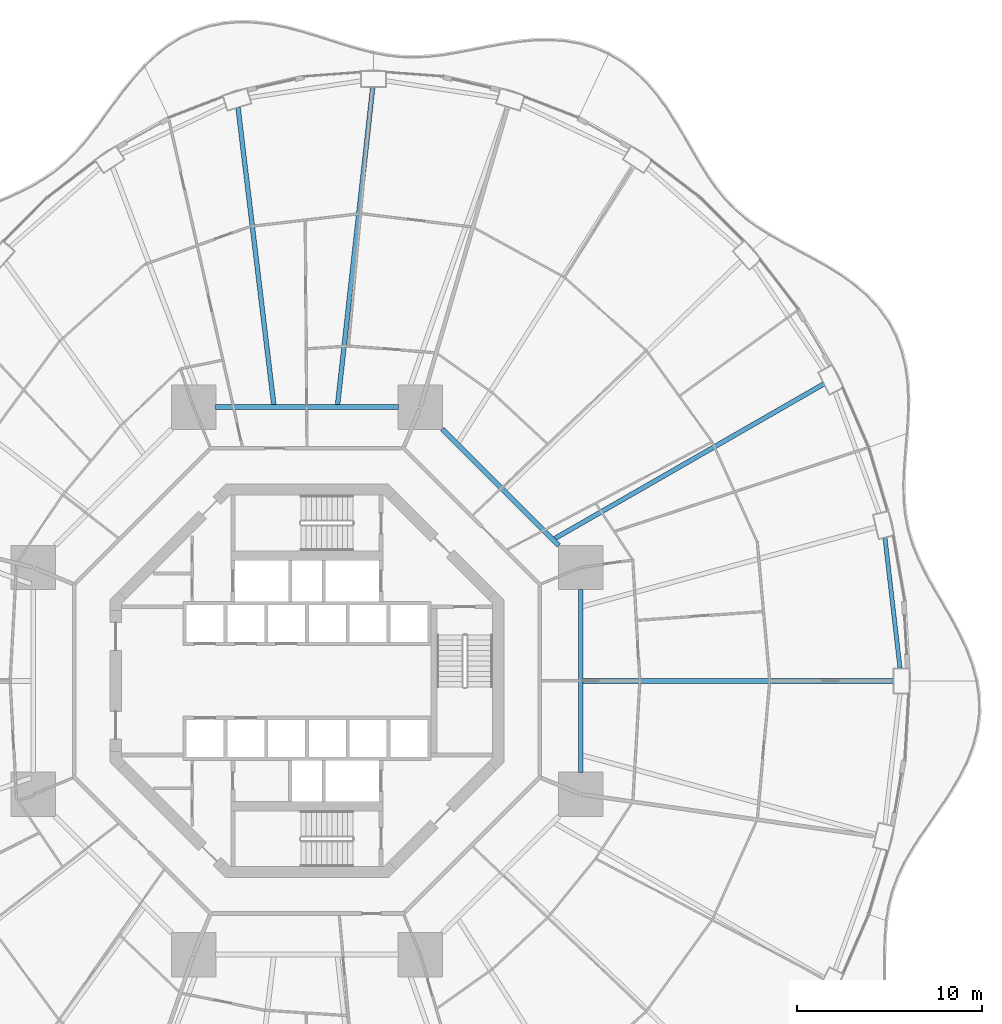
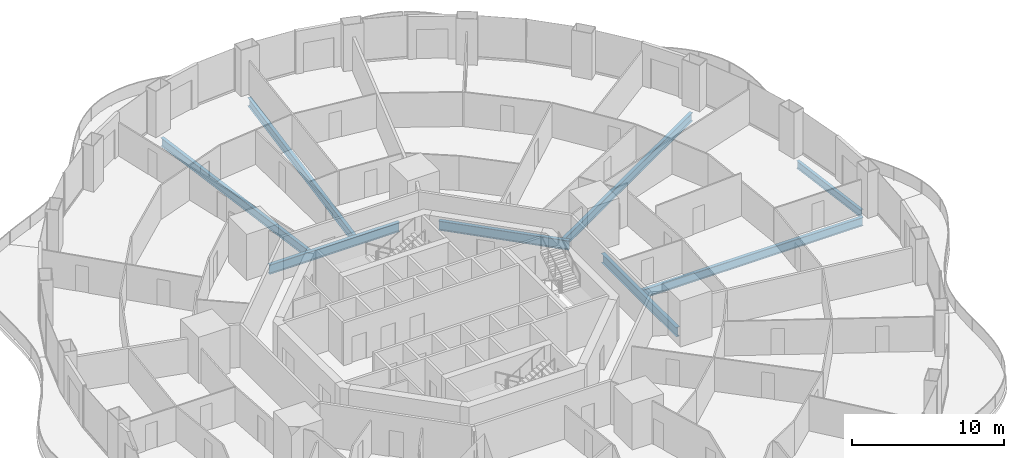
# One storey, part 8 of 22: 8 beams.
"""IFC4 building model written with IfcOpenShell, lengths in metres."""

from ifc_helpers import new_model, si_unit, direction, frame, origin, origin_2d, place, context, subcontext, project, spatial, i_section, extrude, material, material_profile, profile_set, type_object, element, save


model = new_model("IFC4")

# Units and contexts
model_context = context("Model", 3, precision=1e-05, world=origin(), true_north=direction((0.0, 1.0)))
body_context = subcontext(model_context, "Body", "Model", "MODEL_VIEW")
ifc_project = project(units=[si_unit("LENGTHUNIT", "METRE"), si_unit("AREAUNIT", "SQUARE_METRE"), si_unit("VOLUMEUNIT", "CUBIC_METRE"), si_unit("PLANEANGLEUNIT", "RADIAN"), si_unit("MASSUNIT", "GRAM", prefix="KILO")], contexts=[model_context])

# Site, building, storey
site_placement = place(None, origin())
site = spatial("IfcSite", under=ifc_project, at=site_placement, CompositionType="ELEMENT")
building_placement = place(site_placement, origin())
building = spatial("IfcBuilding", under=site, at=building_placement, Name="Nagisa Residences", CompositionType="ELEMENT")
storey_placement = place(building_placement, frame((0.0, 0.0, 34.39990234375)))
storey = spatial("IfcBuildingStorey", under=building, at=storey_placement, Name="L07", CompositionType="ELEMENT", Elevation=34.39990234375)

# Beams
ifc_material_1 = material(Name="Steel ASTM A572 Gr 50", Category="steel")
ifc_material_profile_1 = material_profile(ifc_material_1, i_section(OverallWidth=0.264892578125, OverallDepth=0.7529296875, WebThickness=0.01318359375, FlangeThickness=0.01708984375, at=origin_2d()), Name="W760x147")
ifc_profile_set_1 = profile_set([ifc_material_profile_1], Name="Steel ASTM A572 Gr 50")
beam_type_1 = type_object("IfcBeamType", Name="Inner ring beam W760x147", PredefinedType="BEAM", material=ifc_profile_set_1)
beam_1_placement = place(storey_placement, frame((13.59619140625, 7.308837890625, -0.636474609375), z_axis=(-0.707106781187, 0.707106781187, 0.0), x_axis=(-0.707106781187, -0.707106781187, 0.0)))
element("IfcBeam", 1, at=beam_1_placement, inside=storey, type_object=beam_type_1, Name="beam:L07:ib1", PredefinedType="BEAM", context=body_context, shape_type="SweptSolid", body=[
    extrude(i_section(OverallWidth=0.264892578125, OverallDepth=0.7529296875, WebThickness=0.01318359375, FlangeThickness=0.01708984375, at=origin_2d()), origin(), (0.0, 0.0, 1.0), 8.8916015625),
])
for number, where, z_axis, x_axis, name in (
    (2, (4.94287109375, 14.781982421875, -0.636474609375), (-1.0, 0.0, 0.0), (0.0, -1.0, 0.0), "beam:L07:ib2"),
    (3, (14.781982421875, -4.94287109375, -0.636474609375), (0.0, 1.0, 0.0), (-1.0, 0.0, 0.0), "beam:L07:ib8"),
):
    element("IfcBeam", number, at=place(storey_placement, frame(where, z_axis=z_axis, x_axis=x_axis)), inside=storey, type_object=beam_type_1, Name=name, PredefinedType="BEAM", context=body_context, shape_type="SweptSolid", body=[
        extrude(i_section(OverallWidth=0.264892578125, OverallDepth=0.7529296875, WebThickness=0.01318359375, FlangeThickness=0.01708984375, at=origin_2d()), origin(), (0.0, 0.0, 1.0), 9.8857421875),
    ])
ifc_material_2 = material(Name="Steel ASTM A572 Gr 50", Category="steel")
ifc_material_profile_2 = material_profile(ifc_material_2, i_section(OverallWidth=0.22802734375, OverallDepth=0.60302734375, WebThickness=0.010498046875, FlangeThickness=0.014892578125, at=origin_2d()), Name="W610x101")
ifc_profile_set_2 = profile_set([ifc_material_profile_2], Name="Steel ASTM A572 Gr 50")
beam_type_2 = type_object("IfcBeamType", Name="Perimeter ring beam W610x101", PredefinedType="BEAM", material=ifc_profile_set_2)
beam_2_placement = place(storey_placement, frame((32.021484375, 0.68017578125, -0.5615234375), z_axis=(-0.114673717321, 0.993403210462, 0.0), x_axis=(-0.993403210462, -0.114673717321, 0.0)))
element("IfcBeam", 4, at=beam_2_placement, inside=storey, type_object=beam_type_2, Name="beam:L07:pb01", PredefinedType="BEAM", context=body_context, shape_type="SweptSolid", body=[
    extrude(i_section(OverallWidth=0.22802734375, OverallDepth=0.60302734375, WebThickness=0.010498046875, FlangeThickness=0.014892578125, at=origin_2d()), origin(), (0.0, 0.0, 1.0), 7.09814453125),
])
ifc_material_3 = material(Name="Steel ASTM A572 Gr 50", Category="steel")
ifc_material_profile_3 = material_profile(ifc_material_3, i_section(OverallWidth=0.25390625, OverallDepth=0.68408203125, WebThickness=0.012451171875, FlangeThickness=0.018798828125, at=origin_2d()), Name="W690x140")
ifc_profile_set_3 = profile_set([ifc_material_profile_3], Name="Steel ASTM A572 Gr 50")
beam_type_3 = type_object("IfcBeamType", Name="Radial beam W690x140", PredefinedType="BEAM", material=ifc_profile_set_3)
beam_3_placement = place(storey_placement, frame((31.669921875, 0.0, -0.601806640625), z_axis=(-1.0, 0.0, 0.0), x_axis=(0.0, -1.0, 0.0)))
element("IfcBeam", 5, at=beam_3_placement, inside=storey, type_object=beam_type_3, Name="beam:L07:rb01", PredefinedType="BEAM", context=body_context, shape_type="SweptSolid", body=[
    extrude(i_section(OverallWidth=0.25390625, OverallDepth=0.68408203125, WebThickness=0.012451171875, FlangeThickness=0.018798828125, at=origin_2d()), origin(), (0.0, 0.0, 1.0), 16.775390625),
])
beam_4_placement = place(storey_placement, frame((27.908447265625, 16.035400390625, -0.601806640625), z_axis=(-0.867068052258, -0.498189715623, 0.0), x_axis=(0.498189715623, -0.867068052258, 0.0)))
element("IfcBeam", 6, at=beam_4_placement, inside=storey, type_object=beam_type_3, Name="beam:L07:rb03", PredefinedType="BEAM", context=body_context, shape_type="SweptSolid", body=[
    extrude(i_section(OverallWidth=0.25390625, OverallDepth=0.68408203125, WebThickness=0.012451171875, FlangeThickness=0.018798828125, at=origin_2d()), origin(), (0.0, 0.0, 1.0), 16.758056640625),
])
beam_5_placement = place(storey_placement, frame((3.55224609375, 32.06982421875, -0.601806640625), z_axis=(-0.110088818647, -0.993921753464, 0.0), x_axis=(0.993921753464, -0.110088818647, 0.0)))
element("IfcBeam", 7, at=beam_5_placement, inside=storey, type_object=beam_type_3, Name="beam:L07:rb07", PredefinedType="BEAM", context=body_context, shape_type="SweptSolid", body=[
    extrude(i_section(OverallWidth=0.25390625, OverallDepth=0.68408203125, WebThickness=0.012451171875, FlangeThickness=0.018798828125, at=origin_2d()), origin(), (0.0, 0.0, 1.0), 17.280029296875),
])
beam_6_placement = place(storey_placement, frame((-3.72412109375, 30.958740234375, -0.601806640625), z_axis=(0.119431411612, -0.992842453726, 0.0), x_axis=(0.992842453726, 0.119431411612, 0.0)))
element("IfcBeam", 8, at=beam_6_placement, inside=storey, type_object=beam_type_3, Name="beam:L07:rb08", PredefinedType="BEAM", context=body_context, shape_type="SweptSolid", body=[
    extrude(i_section(OverallWidth=0.25390625, OverallDepth=0.68408203125, WebThickness=0.012451171875, FlangeThickness=0.018798828125, at=origin_2d()), origin(), (0.0, 0.0, 1.0), 16.1796875),
])

save(model, "model.ifc")
